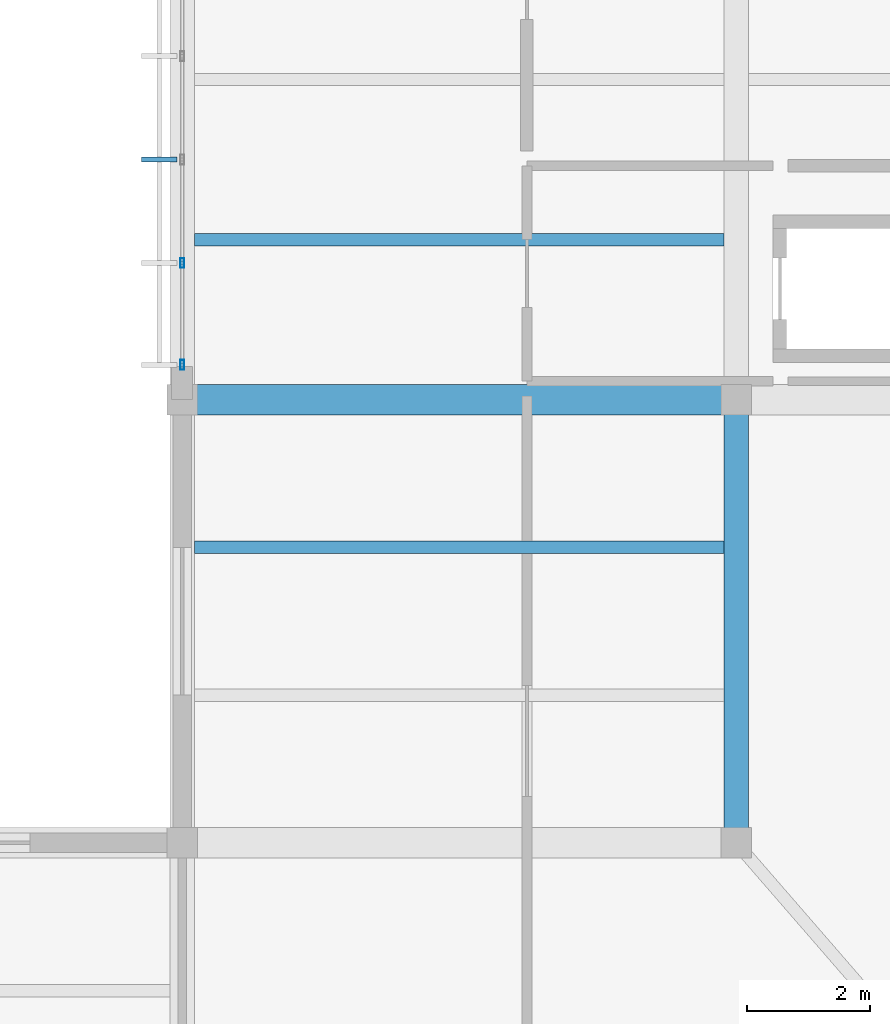
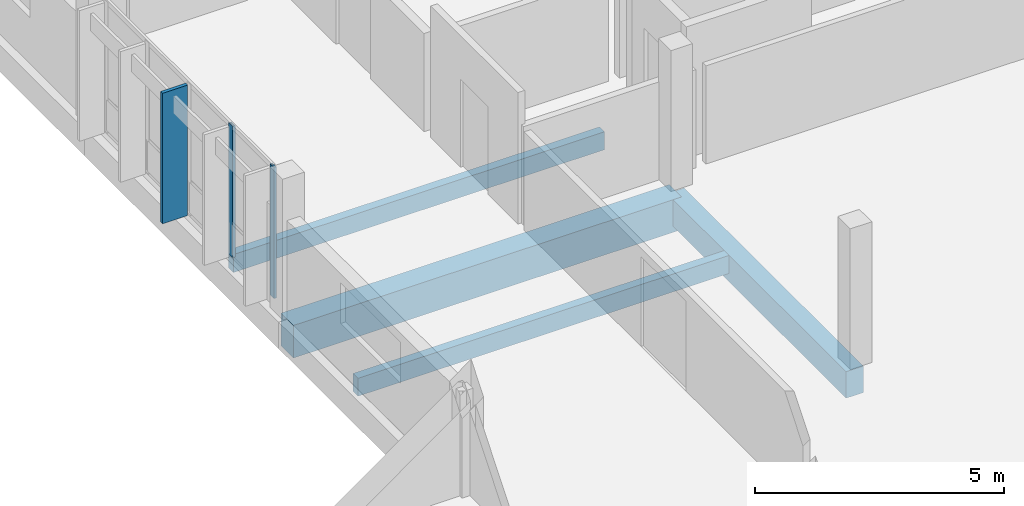
# One storey, part 11 of 24: 4 beams, 3 members, 1 element without a shape of its own.
"""IFC4 building model written with IfcOpenShell, lengths in metres."""

from ifc_helpers import new_model, si_unit, direction, frame, origin, origin_2d, place, context, subcontext, project, spatial, rectangle, hollow_rectangle, extrude, material, material_profile, profile_set, type_object, element, aggregate, save


model = new_model("IFC4")

# Units and contexts
model_context = context("Model", 3, precision=1e-05, world=origin(), true_north=direction((0.0, 1.0)))
body_context = subcontext(model_context, "Body", "Model", "MODEL_VIEW")
ifc_project = project(units=[si_unit("LENGTHUNIT", "METRE"), si_unit("AREAUNIT", "SQUARE_METRE"), si_unit("VOLUMEUNIT", "CUBIC_METRE"), si_unit("PLANEANGLEUNIT", "RADIAN"), si_unit("MASSUNIT", "GRAM", prefix="KILO")], contexts=[model_context])

# Site, building, storey
site_placement = place(None, origin())
site = spatial("IfcSite", under=ifc_project, at=site_placement, CompositionType="ELEMENT")
building_placement = place(site_placement, origin())
building = spatial("IfcBuilding", under=site, at=building_placement, Name="Chiffa Square Polytechnic", CompositionType="ELEMENT")
storey_placement = place(building_placement, frame((0.0, 0.0, 26.39990234375)))
storey = spatial("IfcBuildingStorey", under=building, at=storey_placement, Name="L06", CompositionType="ELEMENT", Elevation=26.39990234375)

# Beams
ifc_material_1 = material(Name="Concrete C35/45", Category="concrete")
ifc_material_profile_1 = material_profile(ifc_material_1, rectangle(XDim=0.39990234375, YDim=0.64990234375, at=origin_2d()), Name="RC 400x650")
ifc_profile_set_1 = profile_set([ifc_material_profile_1], Name="Concrete C35/45")
beam_type_1 = type_object("IfcBeamType", Name="BM-RC-400X650", PredefinedType="BEAM", material=ifc_profile_set_1)
beam_1_placement = place(storey_placement, frame((157.199951171875, 28.800048828125, -0.544921875), z_axis=(0.0, 1.0, 0.0), x_axis=(-1.0, 0.0, 0.0)))
element("IfcBeam", 1, at=beam_1_placement, inside=storey, type_object=beam_type_1, Name="Primary floor girder BM-V1-L06-Y-1572-0288", PredefinedType="BEAM", context=body_context, shape_type="SweptSolid", body=[
    extrude(rectangle(XDim=0.39990234375, YDim=0.64990234375, at=origin_2d()), origin(), (0.0, 0.0, 1.0), 7.199951171875),
])
ifc_material_2 = material(Name="Concrete C40/50", Category="concrete")
ifc_material_profile_2 = material_profile(ifc_material_2, rectangle(XDim=0.5, YDim=0.800048828125, at=origin_2d()), Name="RC 500x800")
ifc_profile_set_2 = profile_set([ifc_material_profile_2], Name="Concrete C40/50")
beam_type_2 = type_object("IfcBeamType", Name="BM-RC-500X800", PredefinedType="BEAM", material=ifc_profile_set_2)
beam_2_placement = place(storey_placement, frame((148.199951171875, 36.0, -0.619873046875), z_axis=(1.0, 0.0, 0.0), x_axis=(0.0, 1.0, 0.0)))
element("IfcBeam", 2, at=beam_2_placement, inside=storey, type_object=beam_type_2, Name="Primary floor girder BM-V1-L06-X-1482-0360", PredefinedType="BEAM", context=body_context, shape_type="SweptSolid", body=[
    extrude(rectangle(XDim=0.5, YDim=0.800048828125, at=origin_2d()), origin(), (0.0, 0.0, 1.0), 9.0),
])

# Curtain wall, members
ifc_material_3 = material(Name="Aluminium EN AW-6060 T66 and glulam shading", Category="wood")
curtain_wall_type = type_object("IfcCurtainWallType", Name="CW-VERT-450X440", PredefinedType="USERDEFINED", material=ifc_material_3)
curtain_wall_placement = place(storey_placement, origin())
curtain_wall = element("IfcCurtainWall", 3, at=curtain_wall_placement, inside=storey, type_object=curtain_wall_type, Name="Curtain wall CW-V1-L06-144", ObjectType="CURTAIN WALL", PredefinedType="USERDEFINED")
ifc_material_4 = material(Name="Aluminium EN AW-6060 T66", Category="aluminium")
ifc_material_profile_3 = material_profile(ifc_material_4, hollow_rectangle(XDim=0.06005859375, YDim=0.159912109375, WallThickness=0.00390625, at=origin_2d()), Name="ALU 60x160x4")
ifc_profile_set_3 = profile_set([ifc_material_profile_3], Name="Aluminium EN AW-6060 T66")
member_type_1 = type_object("IfcMemberType", Name="CWM-ALU-65X150", PredefinedType="MULLION", material=ifc_profile_set_3)
member_1_placement = place(storey_placement, frame((148.199951171875, 38.219970703125, 0.0), z_axis=(0.0, 0.0, 1.0), x_axis=(1.0, 0.0, 0.0)))
member_1 = element("IfcMember", 4, at=member_1_placement, type_object=member_type_1, Name="Curtain wall mullion CW-V1-L06-144-M03", PredefinedType="MULLION", context=body_context, shape_type="SweptSolid", body=[
    extrude(hollow_rectangle(XDim=0.06005859375, YDim=0.159912109375, WallThickness=0.00390625, at=origin_2d()), origin(), (0.0, 0.0, 1.0), 3.22021484375),
])
member_2_placement = place(storey_placement, frame((148.199951171875, 36.56494140625, 0.0), z_axis=(0.0, 0.0, 1.0), x_axis=(1.0, 0.0, 0.0)))
member_2 = element("IfcMember", 5, at=member_2_placement, type_object=member_type_1, Name="Curtain wall mullion CW-V1-L06-144-M04", PredefinedType="MULLION", context=body_context, shape_type="SweptSolid", body=[
    extrude(hollow_rectangle(XDim=0.06005859375, YDim=0.159912109375, WallThickness=0.00390625, at=origin_2d()), origin(), (0.0, 0.0, 1.0), 3.22021484375),
])
ifc_material_5 = material(Name="Glulam GL28h", Category="wood")
ifc_material_profile_4 = material_profile(ifc_material_5, rectangle(XDim=0.080078125, YDim=0.580078125, at=origin_2d()), Name="GL28h 80x580")
ifc_profile_set_4 = profile_set([ifc_material_profile_4], Name="Glulam GL28h")
member_type_2 = type_object("IfcMemberType", Name="CWM-GL-80X580", PredefinedType="MULLION", material=ifc_profile_set_4)
member_3_placement = place(storey_placement, frame((147.827880859375, 39.89990234375, 0.010009765625), z_axis=(0.0, 0.0, 1.0), x_axis=(0.0, -1.0, 0.0)))
member_3 = element("IfcMember", 6, at=member_3_placement, type_object=member_type_2, Name="Exterior glulam solar fin CW-V1-L06-144-FN02", PredefinedType="MULLION", context=body_context, shape_type="SweptSolid", body=[
    extrude(rectangle(XDim=0.080078125, YDim=0.580078125, at=origin_2d()), origin(), (0.0, 0.0, 1.0), 3.2001953125),
])
aggregate(curtain_wall, [member_3, member_1, member_2])

# Beams
ifc_material_profile_5 = material_profile(ifc_material_5, rectangle(XDim=0.199951171875, YDim=0.43994140625, at=origin_2d()), Name="GL28h 200x440")
ifc_profile_set_5 = profile_set([ifc_material_profile_5], Name="Glulam GL28h")
beam_type_3 = type_object("IfcBeamType", Name="JST-GL-200X440", PredefinedType="JOIST", material=ifc_profile_set_5)
for number, where, z_axis, x_axis, name in (
    (7, (148.39794921875, 33.60009765625, -0.43994140625), (1.0, 0.0, 0.0), (0.0, 1.0, 0.0), "Secondary floor joist JST-V1-L06-1482-0336"),
    (8, (148.39794921875, 38.60009765625, -0.43994140625), (1.0, 0.0, 0.0), (0.0, 1.0, 0.0), "Secondary floor joist JST-V1-L06-1482-0386"),
):
    element("IfcBeam", number, at=place(storey_placement, frame(where, z_axis=z_axis, x_axis=x_axis)), inside=storey, type_object=beam_type_3, Name=name, PredefinedType="JOIST", context=body_context, shape_type="SweptSolid", body=[
        extrude(rectangle(XDim=0.199951171875, YDim=0.43994140625, at=origin_2d()), origin(), (0.0, 0.0, 1.0), 8.60400390625),
    ])

save(model, "model.ifc")
